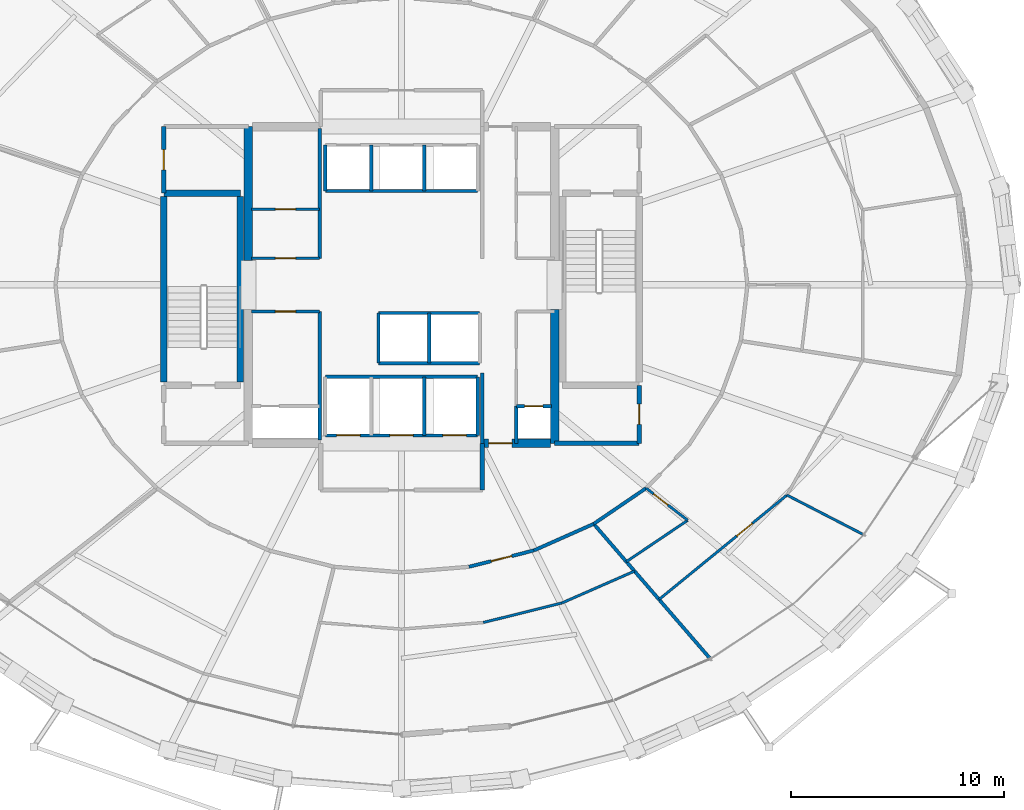
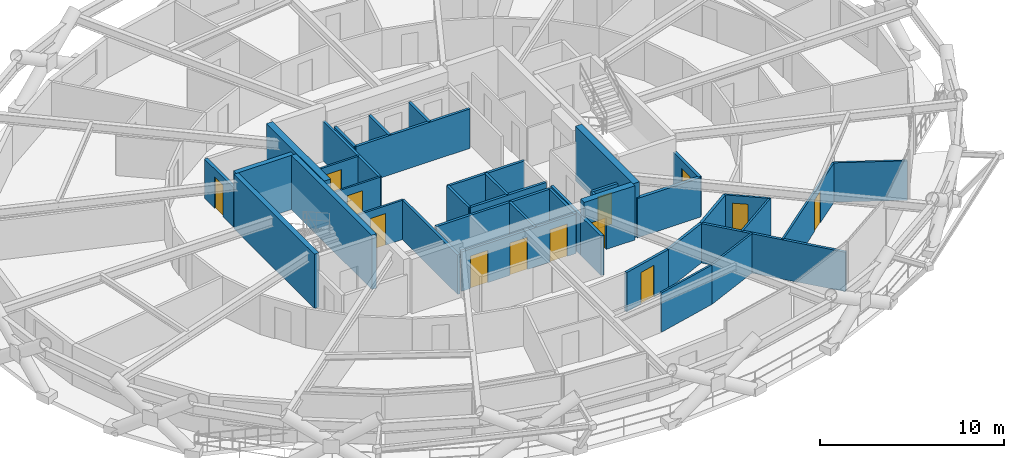
# One storey, part 16 of 21: 40 walls, 13 doors, 13 openings.
"""IFC4 building model written with IfcOpenShell, lengths in metres."""

from ifc_helpers import new_model, si_unit, direction, frame, frame_2d, origin, place, context, subcontext, project, spatial, rectangle, extrude, material, layer, layer_set, type_object, element, fill, save


model = new_model("IFC4")

# Units and contexts
model_context = context("Model", 3, precision=1e-05, world=origin(), true_north=direction((0.0, 1.0)))
body_context = subcontext(model_context, "Body", "Model", "MODEL_VIEW")
ifc_project = project(units=[si_unit("LENGTHUNIT", "METRE"), si_unit("AREAUNIT", "SQUARE_METRE"), si_unit("VOLUMEUNIT", "CUBIC_METRE"), si_unit("PLANEANGLEUNIT", "RADIAN"), si_unit("MASSUNIT", "GRAM", prefix="KILO")], contexts=[model_context])

# Site, building, storey
site_placement = place(None, origin())
site = spatial("IfcSite", under=ifc_project, at=site_placement, CompositionType="ELEMENT")
building_placement = place(site_placement, origin())
building = spatial("IfcBuilding", under=site, at=building_placement, Name="Veldorina Hangang Commons", CompositionType="ELEMENT")
storey_placement = place(building_placement, frame((0.0, 0.0, 59.199951171875)))
storey = spatial("IfcBuildingStorey", under=building, at=storey_placement, Name="L14", CompositionType="ELEMENT", Elevation=59.199951171875)

# Walls
ifc_material_1 = material(Name="Concrete C70/85", Category="concrete")
ifc_layer_1 = layer(ifc_material_1, 0.39990234375)
ifc_layer_set_1 = layer_set([ifc_layer_1], Name="Concrete C70/85")
wall_type_1 = type_object("IfcWallType", Name="CW-RC400-C70", PredefinedType="SHEAR", material=ifc_layer_set_1)
for number, where, z_axis, x_axis, name in (
    (1, (24.800048828125, 25.14990234375, 0.0), (0.0, 0.0, 1.0), (0.0, 1.0, 0.0), "L14 W north core shear wall"),
    (2, (39.199951171875, 16.550048828125, 0.0), (0.0, 0.0, 1.0), (0.0, 1.0, 0.0), "L14 E south core shear wall"),
):
    element("IfcWall", number, at=place(storey_placement, frame(where, z_axis=z_axis, x_axis=x_axis)), inside=storey, type_object=wall_type_1, Name=name, PredefinedType="SHEAR", context=body_context, shape_type="SweptSolid", body=[
        extrude(rectangle(XDim=6.300048828125, YDim=0.39990234375, at=frame_2d((3.14990234375, 0.0))), origin(), (0.0, 0.0, 1.0), 3.60009765625),
    ])

# Wall, opening, door
wall_1_placement = place(storey_placement, frame((35.800048828125, 16.550048828125, 0.0), z_axis=(0.0, 0.0, 1.0), x_axis=(1.0, 0.0, 0.0)))
wall_1 = element("IfcWall", 3, at=wall_1_placement, inside=storey, type_object=wall_type_1, Name="L14 south-east core shear wall", PredefinedType="SHEAR", context=body_context, shape_type="SweptSolid", body=[
    extrude(rectangle(XDim=3.199951171875, YDim=0.39990234375, at=frame_2d((1.60009765625, 0.0))), origin(), (0.0, 0.0, 1.0), 3.60009765625),
])
opening_1_placement = place(wall_1_placement, frame((0.300048828125, 0.0, 0.0)))
opening_1 = element("IfcOpeningElement", 4, at=opening_1_placement, cuts=wall_1, Name="Opening D-08", PredefinedType="OPENING", context=body_context, shape_type="SweptSolid", body=[
    extrude(rectangle(XDim=1.10009765625, YDim=2.10009765625, at=frame_2d((0.550048828125, 1.050048828125))), frame((0.0, 0.2099609375, 0.0), z_axis=(0.0, -1.0, 0.0), x_axis=(1.0, 0.0, 0.0)), (0.0, 0.0, 1.0), 0.419921875),
])
ifc_material_2 = material(Name="Steel Fire-Rated Smoke Seal", Category="steel")
door_type_1 = type_object("IfcDoorType", Name="DR-FIRE-1100", OperationType="SINGLE_SWING_RIGHT", PredefinedType="DOOR", material=ifc_material_2)
door_1_placement = place(opening_1_placement, origin())
door_1 = element("IfcDoor", 5, at=door_1_placement, inside=storey, type_object=door_type_1, Name="L14 central lift lobby south corridor door", OperationType="SINGLE_SWING_RIGHT", OverallHeight=2.10009765625, OverallWidth=1.10009765625, PredefinedType="DOOR", context=body_context, shape_type="SweptSolid", body=[
    extrude(rectangle(XDim=1.10009765625, YDim=2.10009765625, at=frame_2d((0.550048828125, 1.050048828125))), frame((0.0, 0.02490234375, 0.0), z_axis=(0.0, -1.0, 0.0), x_axis=(1.0, 0.0, 0.0)), (0.0, 0.0, 1.0), 0.050048828125),
])
fill(opening_1, door_1)

# Walls
ifc_material_3 = material(Name="Concrete C50/60", Category="concrete")
ifc_layer_2 = layer(ifc_material_3, 0.300048828125)
ifc_layer_set_2 = layer_set([ifc_layer_2], Name="Concrete C50/60")
wall_type_2 = type_object("IfcWallType", Name="SW-STAIR-300", PredefinedType="SHEAR", material=ifc_layer_set_2)
for number, where, z_axis, x_axis, name in (
    (6, (20.820068359375, 19.429931640625, 0.0), (0.0, 0.0, 1.0), (0.0, 1.0, 0.0), "L14 ST1 outer stair shear wall"),
    (7, (24.419921875, 19.429931640625, 0.0), (0.0, 0.0, 1.0), (0.0, 1.0, 0.0), "L14 ST1 inner stair shear wall"),
):
    element("IfcWall", number, at=place(storey_placement, frame(where, z_axis=z_axis, x_axis=x_axis)), inside=storey, type_object=wall_type_2, Name=name, PredefinedType="SHEAR", context=body_context, shape_type="SweptSolid", body=[
        extrude(rectangle(XDim=8.739990234375, YDim=0.300048828125, at=frame_2d((4.3701171875, 0.0))), origin(), (0.0, 0.0, 1.0), 3.60009765625),
    ])
wall_2_placement = place(storey_placement, frame((20.820068359375, 28.320068359375, 0.0), z_axis=(0.0, 0.0, 1.0), x_axis=(1.0, 0.0, 0.0)))
element("IfcWall", 8, at=wall_2_placement, inside=storey, type_object=wall_type_2, Name="L14 ST1 north stair shear wall", PredefinedType="SHEAR", context=body_context, shape_type="SweptSolid", body=[
    extrude(rectangle(XDim=3.599853515625, YDim=0.300048828125, at=frame_2d((1.7998046875, 0.0))), origin(), (0.0, 0.0, 1.0), 3.60009765625),
])
ifc_material_4 = material(Name="Gypsum Fire-Rated Twin Stud Wall", Category="gypsum")
ifc_layer_3 = layer(ifc_material_4, 0.159912109375)
ifc_layer_set_3 = layer_set([ifc_layer_3], Name="Gypsum Fire-Rated Twin Stud Wall")
wall_type_3 = type_object("IfcWallType", Name="WL-FIRE-160", PredefinedType="SOLIDWALL", material=ifc_layer_set_3)
wall_3_placement = place(storey_placement, frame((35.800048828125, 16.550048828125, 0.0), z_axis=(0.0, 0.0, 1.0), x_axis=(0.0, 1.0, 0.0)))
element("IfcWall", 9, at=wall_3_placement, inside=storey, type_object=wall_type_3, Name="L14 Lift passage SW wall 009", PredefinedType="SOLIDWALL", context=body_context, shape_type="SweptSolid", body=[
    extrude(rectangle(XDim=3.300048828125, YDim=0.159912109375, at=frame_2d((1.64990234375, 0.0))), origin(), (0.0, 0.0, 1.0), 2.610107421875),
])
wall_4_placement = place(storey_placement, frame((37.39990234375, 16.550048828125, 0.0), z_axis=(0.0, 0.0, 1.0), x_axis=(0.0, 1.0, 0.0)))
element("IfcWall", 10, at=wall_4_placement, inside=storey, type_object=wall_type_3, Name="L14 Lift passage SE stub 010", PredefinedType="SOLIDWALL", context=body_context, shape_type="SweptSolid", body=[
    extrude(rectangle(XDim=1.75, YDim=0.159912109375, at=frame_2d((0.875, 0.0))), origin(), (0.0, 0.0, 1.0), 2.610107421875),
])
wall_5_placement = place(storey_placement, frame((28.419921875, 28.419921875, 0.0), z_axis=(0.0, 0.0, 1.0), x_axis=(1.0, 0.0, 0.0)))
element("IfcWall", 11, at=wall_5_placement, inside=storey, type_object=wall_type_3, Name="L14 Low-bank rear shaft wall 016", PredefinedType="SOLIDWALL", context=body_context, shape_type="SweptSolid", body=[
    extrude(rectangle(XDim=7.16015625, YDim=0.159912109375, at=frame_2d((3.580078125, 0.0))), origin(), (0.0, 0.0, 1.0), 2.610107421875),
])
for number, where, z_axis, x_axis, name in (
    (12, (28.419921875, 28.419921875, 0.0), (0.0, 0.0, 1.0), (0.0, 1.0, 0.0), "L14 PL-L1 west shaft wall 017"),
    (13, (30.580078125, 28.419921875, 0.0), (0.0, 0.0, 1.0), (0.0, 1.0, 0.0), "L14 PL-L1 east shaft wall 018"),
    (14, (33.080078125, 28.419921875, 0.0), (0.0, 0.0, 1.0), (0.0, 1.0, 0.0), "L14 PL-L2 east shaft wall 019"),
):
    element("IfcWall", number, at=place(storey_placement, frame(where, z_axis=z_axis, x_axis=x_axis)), inside=storey, type_object=wall_type_3, Name=name, PredefinedType="SOLIDWALL", context=body_context, shape_type="SweptSolid", body=[
        extrude(rectangle(XDim=2.16015625, YDim=0.159912109375, at=frame_2d((1.080078125, 0.0))), origin(), (0.0, 0.0, 1.0), 2.610107421875),
    ])
for number, where, z_axis, x_axis, name in (
    (15, (30.919921875, 22.679931640625, 0.0), (0.0, 0.0, 1.0), (1.0, 0.0, 0.0), "L14 Shuttle-high front shaft wall 021"),
    (16, (30.919921875, 20.320068359375, 0.0), (0.0, 0.0, 1.0), (1.0, 0.0, 0.0), "L14 Shuttle-high rear shaft wall 022"),
):
    element("IfcWall", number, at=place(storey_placement, frame(where, z_axis=z_axis, x_axis=x_axis)), inside=storey, type_object=wall_type_3, Name=name, PredefinedType="SOLIDWALL", context=body_context, shape_type="SweptSolid", body=[
        extrude(rectangle(XDim=4.760009765625, YDim=0.159912109375, at=frame_2d((2.3798828125, 0.0))), origin(), (0.0, 0.0, 1.0), 2.610107421875),
    ])
for number, where, z_axis, x_axis, name in (
    (17, (30.919921875, 20.320068359375, 0.0), (0.0, 0.0, 1.0), (0.0, 1.0, 0.0), "L14 SL-1 west shaft wall 023"),
    (18, (33.300048828125, 20.320068359375, 0.0), (0.0, 0.0, 1.0), (0.0, 1.0, 0.0), "L14 SL-1 east shaft wall 024"),
):
    element("IfcWall", number, at=place(storey_placement, frame(where, z_axis=z_axis, x_axis=x_axis)), inside=storey, type_object=wall_type_3, Name=name, PredefinedType="SOLIDWALL", context=body_context, shape_type="SweptSolid", body=[
        extrude(rectangle(XDim=2.35986328125, YDim=0.159912109375, at=frame_2d((1.179931640625, 0.0))), origin(), (0.0, 0.0, 1.0), 2.610107421875),
    ])

# Wall, openings, doors
wall_6_placement = place(storey_placement, frame((28.419921875, 16.919921875, 0.0), z_axis=(0.0, 0.0, 1.0), x_axis=(1.0, 0.0, 0.0)))
wall_6 = element("IfcWall", 19, at=wall_6_placement, inside=storey, type_object=wall_type_3, Name="L14 Emergency front shaft wall 026", PredefinedType="SOLIDWALL", context=body_context, shape_type="SweptSolid", body=[
    extrude(rectangle(XDim=7.16015625, YDim=0.159912109375, at=frame_2d((3.580078125, 0.0))), origin(), (0.0, 0.0, 1.0), 2.610107421875),
])
opening_2_placement = place(wall_6_placement, frame((0.530029296875, 0.0, 0.0)))
opening_2 = element("IfcOpeningElement", 20, at=opening_2_placement, cuts=wall_6, Name="Opening LD-03", PredefinedType="OPENING", context=body_context, shape_type="SweptSolid", body=[
    extrude(rectangle(XDim=1.10009765625, YDim=2.14990234375, at=frame_2d((0.550048828125, 1.074951171875))), frame((0.0, 0.08984375, 0.0), z_axis=(0.0, -1.0, 0.0), x_axis=(1.0, 0.0, 0.0)), (0.0, 0.0, 1.0), 0.179931640625),
])
opening_3_placement = place(wall_6_placement, frame((3.030029296875, 0.0, 0.0)))
opening_3 = element("IfcOpeningElement", 21, at=opening_3_placement, cuts=wall_6, Name="Opening LD-03", PredefinedType="OPENING", context=body_context, shape_type="SweptSolid", body=[
    extrude(rectangle(XDim=1.10009765625, YDim=2.14990234375, at=frame_2d((0.550048828125, 1.074951171875))), frame((0.0, 0.08984375, 0.0), z_axis=(0.0, -1.0, 0.0), x_axis=(1.0, 0.0, 0.0)), (0.0, 0.0, 1.0), 0.179931640625),
])
opening_4_placement = place(wall_6_placement, frame((5.530029296875, 0.0, 0.0)))
opening_4 = element("IfcOpeningElement", 22, at=opening_4_placement, cuts=wall_6, Name="Opening LD-03", PredefinedType="OPENING", context=body_context, shape_type="SweptSolid", body=[
    extrude(rectangle(XDim=1.10009765625, YDim=2.14990234375, at=frame_2d((0.550048828125, 1.074951171875))), frame((0.0, 0.08984375, 0.0), z_axis=(0.0, -1.0, 0.0), x_axis=(1.0, 0.0, 0.0)), (0.0, 0.0, 1.0), 0.179931640625),
])
ifc_material_5 = material(Name="Stainless Steel Firefighting Lift Door", Category="steel")
door_type_2 = type_object("IfcDoorType", Name="DR-LIFT-FF1100", OperationType="SLIDING_TO_RIGHT", PredefinedType="DOOR", material=ifc_material_5)
door_2_placement = place(opening_2_placement, origin())
door_2 = element("IfcDoor", 23, at=door_2_placement, inside=storey, type_object=door_type_2, Name="L14 Emergency lift FFL-1 landing door 009", OperationType="SLIDING_TO_RIGHT", OverallHeight=2.14990234375, OverallWidth=1.10009765625, PredefinedType="DOOR", context=body_context, shape_type="SweptSolid", body=[
    extrude(rectangle(XDim=1.10009765625, YDim=2.14990234375, at=frame_2d((0.550048828125, 1.074951171875))), frame((0.0, 0.02490234375, 0.0), z_axis=(0.0, -1.0, 0.0), x_axis=(1.0, 0.0, 0.0)), (0.0, 0.0, 1.0), 0.050048828125),
])
fill(opening_2, door_2)
door_3_placement = place(opening_3_placement, origin())
door_3 = element("IfcDoor", 24, at=door_3_placement, inside=storey, type_object=door_type_2, Name="L14 Emergency lift FFL-2 landing door 010", OperationType="SLIDING_TO_RIGHT", OverallHeight=2.14990234375, OverallWidth=1.10009765625, PredefinedType="DOOR", context=body_context, shape_type="SweptSolid", body=[
    extrude(rectangle(XDim=1.10009765625, YDim=2.14990234375, at=frame_2d((0.550048828125, 1.074951171875))), frame((0.0, 0.02490234375, 0.0), z_axis=(0.0, -1.0, 0.0), x_axis=(1.0, 0.0, 0.0)), (0.0, 0.0, 1.0), 0.050048828125),
])
fill(opening_3, door_3)
door_4_placement = place(opening_4_placement, origin())
door_4 = element("IfcDoor", 25, at=door_4_placement, inside=storey, type_object=door_type_2, Name="L14 Emergency lift EVL-1 landing door 011", OperationType="SLIDING_TO_RIGHT", OverallHeight=2.14990234375, OverallWidth=1.10009765625, PredefinedType="DOOR", context=body_context, shape_type="SweptSolid", body=[
    extrude(rectangle(XDim=1.10009765625, YDim=2.14990234375, at=frame_2d((0.550048828125, 1.074951171875))), frame((0.0, 0.02490234375, 0.0), z_axis=(0.0, -1.0, 0.0), x_axis=(1.0, 0.0, 0.0)), (0.0, 0.0, 1.0), 0.050048828125),
])
fill(opening_4, door_4)

# Walls
wall_7_placement = place(storey_placement, frame((28.419921875, 19.679931640625, 0.0), z_axis=(0.0, 0.0, 1.0), x_axis=(1.0, 0.0, 0.0)))
element("IfcWall", 26, at=wall_7_placement, inside=storey, type_object=wall_type_3, Name="L14 Emergency rear shaft wall 027", PredefinedType="SOLIDWALL", context=body_context, shape_type="SweptSolid", body=[
    extrude(rectangle(XDim=7.16015625, YDim=0.159912109375, at=frame_2d((3.580078125, 0.0))), origin(), (0.0, 0.0, 1.0), 2.610107421875),
])
for number, where, z_axis, x_axis, name in (
    (27, (33.080078125, 16.919921875, 0.0), (0.0, 0.0, 1.0), (0.0, 1.0, 0.0), "L14 FFL-2 east shaft wall 030"),
    (28, (35.580078125, 16.919921875, 0.0), (0.0, 0.0, 1.0), (0.0, 1.0, 0.0), "L14 EVL-1 east shaft wall 031"),
):
    element("IfcWall", number, at=place(storey_placement, frame(where, z_axis=z_axis, x_axis=x_axis)), inside=storey, type_object=wall_type_3, Name=name, PredefinedType="SOLIDWALL", context=body_context, shape_type="SweptSolid", body=[
        extrude(rectangle(XDim=2.760009765625, YDim=0.159912109375, at=frame_2d((1.3798828125, 0.0))), origin(), (0.0, 0.0, 1.0), 2.610107421875),
    ])
wall_8_placement = place(storey_placement, frame((28.14990234375, 16.699951171875, 0.0), z_axis=(0.0, 0.0, 1.0), x_axis=(0.0, 1.0, 0.0)))
element("IfcWall", 29, at=wall_8_placement, inside=storey, type_object=wall_type_3, Name="L14 SW core inner wall 036", PredefinedType="SOLIDWALL", context=body_context, shape_type="SweptSolid", body=[
    extrude(rectangle(XDim=6.050048828125, YDim=0.159912109375, at=frame_2d((3.02490234375, 0.0))), origin(), (0.0, 0.0, 1.0), 2.610107421875),
])

# Wall, opening, door
wall_9_placement = place(storey_placement, frame((37.39990234375, 18.300048828125, 0.0), z_axis=(0.0, 0.0, 1.0), x_axis=(1.0, 0.0, 0.0)))
wall_9 = element("IfcWall", 30, at=wall_9_placement, inside=storey, type_object=wall_type_3, Name="L14 Plumbing riser wall 037", PredefinedType="SOLIDWALL", context=body_context, shape_type="SweptSolid", body=[
    extrude(rectangle(XDim=1.650146484375, YDim=0.159912109375, at=frame_2d((0.8251953125, 0.0))), origin(), (0.0, 0.0, 1.0), 2.610107421875),
])
opening_5_placement = place(wall_9_placement, frame((0.39501953125, 0.0, 0.0)))
opening_5 = element("IfcOpeningElement", 31, at=opening_5_placement, cuts=wall_9, Name="Opening D-01N", PredefinedType="OPENING", context=body_context, shape_type="SweptSolid", body=[
    extrude(rectangle(XDim=0.860107421875, YDim=2.10009765625, at=frame_2d((0.43017578125, 1.050048828125))), frame((0.0, 0.08984375, 0.0), z_axis=(0.0, -1.0, 0.0), x_axis=(1.0, 0.0, 0.0)), (0.0, 0.0, 1.0), 0.179931640625),
])
ifc_material_6 = material(Name="Timber Fire-Rated Core", Category="wood")
door_type_3 = type_object("IfcDoorType", Name="DR-INT-860", OperationType="SINGLE_SWING_LEFT", PredefinedType="DOOR", material=ifc_material_6)
door_5_placement = place(opening_5_placement, origin())
door_5 = element("IfcDoor", 32, at=door_5_placement, inside=storey, type_object=door_type_3, Name="L14 Plumbing riser access door 014", OperationType="SINGLE_SWING_RIGHT", OverallHeight=2.10009765625, OverallWidth=0.860107421875, PredefinedType="TRAPDOOR", context=body_context, shape_type="SweptSolid", body=[
    extrude(rectangle(XDim=0.860107421875, YDim=2.10009765625, at=frame_2d((0.43017578125, 1.050048828125))), frame((0.0, 0.02490234375, 0.0), z_axis=(0.0, -1.0, 0.0), x_axis=(1.0, 0.0, 0.0)), (0.0, 0.0, 1.0), 0.050048828125),
])
fill(opening_5, door_5)

# Wall
wall_10_placement = place(storey_placement, frame((28.14990234375, 25.25, 0.0), z_axis=(0.0, 0.0, 1.0), x_axis=(0.0, 1.0, 0.0)))
element("IfcWall", 33, at=wall_10_placement, inside=storey, type_object=wall_type_3, Name="L14 NW core inner wall 038", PredefinedType="SOLIDWALL", context=body_context, shape_type="SweptSolid", body=[
    extrude(rectangle(XDim=6.10009765625, YDim=0.159912109375, at=frame_2d((3.050048828125, 0.0))), origin(), (0.0, 0.0, 1.0), 2.610107421875),
])

# Wall, opening, door
wall_11_placement = place(storey_placement, frame((35.1748046875, 10.74169921875, 0.0), z_axis=(0.0, 0.0, 1.0), x_axis=(0.969689238064, 0.244341526521, 0.0)))
wall_11 = element("IfcWall", 34, at=wall_11_placement, inside=storey, type_object=wall_type_3, Name="L14 Corridor outer wall 25 072", PredefinedType="SOLIDWALL", context=body_context, shape_type="SweptSolid", body=[
    extrude(rectangle(XDim=3.1484375, YDim=0.159912109375, at=frame_2d((1.57421875, 0.0))), origin(), (0.0, 0.0, 1.0), 2.610107421875),
])
opening_6_placement = place(wall_11_placement, frame((1.07421875, 0.0, 0.0)))
opening_6 = element("IfcOpeningElement", 35, at=opening_6_placement, cuts=wall_11, Name="Opening D-05", PredefinedType="OPENING", context=body_context, shape_type="SweptSolid", body=[
    extrude(rectangle(XDim=1.0, YDim=2.10009765625, at=frame_2d((0.5, 1.050048828125))), frame((0.0, 0.08984375, 0.0), z_axis=(0.0, -1.0, 0.0), x_axis=(1.0, 0.0, 0.0)), (0.0, 0.0, 1.0), 0.179931640625),
])
ifc_material_7 = material(Name="Timber Solid Core Acoustic", Category="wood")
door_type_4 = type_object("IfcDoorType", Name="DR-INT-1000", OperationType="SINGLE_SWING_RIGHT", PredefinedType="DOOR", material=ifc_material_7)
door_6_placement = place(opening_6_placement, origin())
door_6 = element("IfcDoor", 36, at=door_6_placement, inside=storey, type_object=door_type_4, Name="L14 Commons alcove door 021", OperationType="SINGLE_SWING_LEFT", OverallHeight=2.10009765625, OverallWidth=1.0, PredefinedType="DOOR", context=body_context, shape_type="SweptSolid", body=[
    extrude(rectangle(XDim=1.0, YDim=2.10009765625, at=frame_2d((0.5, 1.050048828125))), frame((0.0, 0.02490234375, 0.0), z_axis=(0.0, -1.0, 0.0), x_axis=(1.0, 0.0, 0.0)), (0.0, 0.0, 1.0), 0.050048828125),
])
fill(opening_6, door_6)

# Walls
wall_12_placement = place(storey_placement, frame((38.227783203125, 11.510986328125, 0.0), z_axis=(0.0, 0.0, 1.0), x_axis=(0.913952123493, 0.405822024984, 0.0)))
element("IfcWall", 37, at=wall_12_placement, inside=storey, type_object=wall_type_3, Name="L14 Corridor outer wall 26 073", PredefinedType="SOLIDWALL", context=body_context, shape_type="SweptSolid", body=[
    extrude(rectangle(XDim=3.078369140625, YDim=0.159912109375, at=frame_2d((1.5390625, 0.0))), origin(), (0.0, 0.0, 1.0), 2.610107421875),
])
wall_13_placement = place(storey_placement, frame((41.041259765625, 12.76025390625, 0.0), z_axis=(0.0, 0.0, 1.0), x_axis=(0.826293096206, 0.56324037423, 0.0)))
element("IfcWall", 38, at=wall_13_placement, inside=storey, type_object=wall_type_3, Name="L14 Corridor outer wall 27 074", PredefinedType="SOLIDWALL", context=body_context, shape_type="SweptSolid", body=[
    extrude(rectangle(XDim=2.98486328125, YDim=0.159912109375, at=frame_2d((1.492431640625, 0.0))), origin(), (0.0, 0.0, 1.0), 2.610107421875),
])
wall_14_placement = place(storey_placement, frame((41.041259765625, 12.76025390625, 0.0), z_axis=(0.0, 0.0, 1.0), x_axis=(0.654032006628, -0.756466875881, 0.0)))
element("IfcWall", 39, at=wall_14_placement, inside=storey, type_object=wall_type_3, Name="L14 Unit party wall 27 084", PredefinedType="SOLIDWALL", context=body_context, shape_type="SweptSolid", body=[
    extrude(rectangle(XDim=8.341796875, YDim=0.159912109375, at=frame_2d((4.1708984375, 0.0))), origin(), (0.0, 0.0, 1.0), 2.610107421875),
])

# Wall, opening, door
ifc_material_8 = material(Name="Concrete Blockwork Fire Wall C30/37", Category="masonry")
ifc_layer_4 = layer(ifc_material_8, 0.199951171875)
ifc_layer_set_4 = layer_set([ifc_layer_4], Name="Concrete Blockwork Fire Wall C30/37")
wall_type_4 = type_object("IfcWallType", Name="WL-FIRE-200", PredefinedType="SOLIDWALL", material=ifc_layer_set_4)
wall_15_placement = place(storey_placement, frame((20.820068359375, 28.320068359375, 0.0), z_axis=(0.0, 0.0, 1.0), x_axis=(0.0, 1.0, 0.0)))
wall_15 = element("IfcWall", 40, at=wall_15_placement, inside=storey, type_object=wall_type_4, Name="L14 NW core room outer wall 005", PredefinedType="SOLIDWALL", context=body_context, shape_type="SweptSolid", body=[
    extrude(rectangle(XDim=3.1298828125, YDim=0.199951171875, at=frame_2d((1.56494140625, 0.0))), origin(), (0.0, 0.0, 1.0), 2.610107421875),
])
opening_7_placement = place(wall_15_placement, frame((1.090087890625, 0.0, 0.0)))
opening_7 = element("IfcOpeningElement", 41, at=opening_7_placement, cuts=wall_15, Name="Opening D-04", PredefinedType="OPENING", context=body_context, shape_type="SweptSolid", body=[
    extrude(rectangle(XDim=0.949951171875, YDim=2.10009765625, at=frame_2d((0.47509765625, 1.050048828125))), frame((0.0, 0.10986328125, 0.0), z_axis=(0.0, -1.0, 0.0), x_axis=(1.0, 0.0, 0.0)), (0.0, 0.0, 1.0), 0.219970703125),
])
ifc_material_9 = material(Name="Timber Accessible Flush Leaf", Category="wood")
door_type_5 = type_object("IfcDoorType", Name="DR-ACC-950", OperationType="SINGLE_SWING_LEFT", PredefinedType="DOOR", material=ifc_material_9)
door_7_placement = place(opening_7_placement, origin())
door_7 = element("IfcDoor", 42, at=door_7_placement, inside=storey, type_object=door_type_5, Name="L14 NW core WC door 003", OperationType="SINGLE_SWING_LEFT", OverallHeight=2.10009765625, OverallWidth=0.949951171875, PredefinedType="DOOR", context=body_context, shape_type="SweptSolid", body=[
    extrude(rectangle(XDim=0.949951171875, YDim=2.10009765625, at=frame_2d((0.47509765625, 1.050048828125))), frame((0.0, 0.02490234375, 0.0), z_axis=(0.0, -1.0, 0.0), x_axis=(1.0, 0.0, 0.0)), (0.0, 0.0, 1.0), 0.050048828125),
])
fill(opening_7, door_7)

wall_16_placement = place(storey_placement, frame((43.179931640625, 16.550048828125, 0.0), z_axis=(0.0, 0.0, 1.0), x_axis=(0.0, 1.0, 0.0)))
wall_16 = element("IfcWall", 43, at=wall_16_placement, inside=storey, type_object=wall_type_4, Name="L14 SE core room outer wall 007", PredefinedType="SOLIDWALL", context=body_context, shape_type="SweptSolid", body=[
    extrude(rectangle(XDim=2.72998046875, YDim=0.199951171875, at=frame_2d((1.364990234375, 0.0))), origin(), (0.0, 0.0, 1.0), 2.610107421875),
])
opening_8_placement = place(wall_16_placement, frame((0.889892578125, 0.0, 0.0)))
opening_8 = element("IfcOpeningElement", 44, at=opening_8_placement, cuts=wall_16, Name="Opening D-02", PredefinedType="OPENING", context=body_context, shape_type="SweptSolid", body=[
    extrude(rectangle(XDim=0.949951171875, YDim=2.10009765625, at=frame_2d((0.47509765625, 1.050048828125))), frame((0.0, 0.10986328125, 0.0), z_axis=(0.0, -1.0, 0.0), x_axis=(1.0, 0.0, 0.0)), (0.0, 0.0, 1.0), 0.219970703125),
])
door_type_6 = type_object("IfcDoorType", Name="DR-INT-950", OperationType="SINGLE_SWING_LEFT", PredefinedType="DOOR", material=ifc_material_7)
door_8_placement = place(opening_8_placement, origin())
door_8 = element("IfcDoor", 45, at=door_8_placement, inside=storey, type_object=door_type_6, Name="L14 SE core WC door 004", OperationType="SINGLE_SWING_RIGHT", OverallHeight=2.10009765625, OverallWidth=0.949951171875, PredefinedType="DOOR", context=body_context, shape_type="SweptSolid", body=[
    extrude(rectangle(XDim=0.949951171875, YDim=2.10009765625, at=frame_2d((0.47509765625, 1.050048828125))), frame((0.0, 0.02490234375, 0.0), z_axis=(0.0, -1.0, 0.0), x_axis=(1.0, 0.0, 0.0)), (0.0, 0.0, 1.0), 0.050048828125),
])
fill(opening_8, door_8)

# Walls
wall_17_placement = place(storey_placement, frame((39.199951171875, 16.550048828125, 0.0), z_axis=(0.0, 0.0, 1.0), x_axis=(1.0, 0.0, 0.0)))
element("IfcWall", 46, at=wall_17_placement, inside=storey, type_object=wall_type_4, Name="L14 SE core room south wall 008", PredefinedType="SOLIDWALL", context=body_context, shape_type="SweptSolid", body=[
    extrude(rectangle(XDim=3.97998046875, YDim=0.199951171875, at=frame_2d((1.989990234375, 0.0))), origin(), (0.0, 0.0, 1.0), 2.610107421875),
])
wall_18_placement = place(storey_placement, frame((35.800048828125, 14.35009765625, 0.0), z_axis=(0.0, 0.0, 1.0), x_axis=(0.0, 1.0, 0.0)))
element("IfcWall", 47, at=wall_18_placement, inside=storey, type_object=wall_type_4, Name="L14 FF lobby east wall 013", PredefinedType="SOLIDWALL", context=body_context, shape_type="SweptSolid", body=[
    extrude(rectangle(XDim=2.199951171875, YDim=0.199951171875, at=frame_2d((1.10009765625, 0.0))), origin(), (0.0, 0.0, 1.0), 2.610107421875),
])

# Wall, opening, door
ifc_material_10 = material(Name="Gypsum Acoustic Stud Partition", Category="gypsum")
ifc_layer_5 = layer(ifc_material_10, 0.1201171875)
ifc_layer_set_5 = layer_set([ifc_layer_5], Name="Gypsum Acoustic Stud Partition")
wall_type_5 = type_object("IfcWallType", Name="WL-PART-120", PredefinedType="PARTITIONING", material=ifc_layer_set_5)
wall_19_placement = place(storey_placement, frame((24.949951171875, 25.25, 0.0), z_axis=(0.0, 0.0, 1.0), x_axis=(1.0, 0.0, 0.0)))
wall_19 = element("IfcWall", 48, at=wall_19_placement, inside=storey, type_object=wall_type_5, Name="L14 NW service south wall 039", PredefinedType="PARTITIONING", context=body_context, shape_type="SweptSolid", body=[
    extrude(rectangle(XDim=3.199951171875, YDim=0.1201171875, at=frame_2d((1.60009765625, 0.0))), origin(), (0.0, 0.0, 1.0), 2.610107421875),
])
opening_9_placement = place(wall_19_placement, frame((1.125, 0.0, 0.0)))
opening_9 = element("IfcOpeningElement", 49, at=opening_9_placement, cuts=wall_19, Name="Opening D-02", PredefinedType="OPENING", context=body_context, shape_type="SweptSolid", body=[
    extrude(rectangle(XDim=0.949951171875, YDim=2.10009765625, at=frame_2d((0.47509765625, 1.050048828125))), frame((0.0, 0.070068359375, 0.0), z_axis=(0.0, -1.0, 0.0), x_axis=(1.0, 0.0, 0.0)), (0.0, 0.0, 1.0), 0.14013671875),
])
door_9_placement = place(opening_9_placement, origin())
door_9 = element("IfcDoor", 50, at=door_9_placement, inside=storey, type_object=door_type_6, Name="L14 Housekeeping pantry door 015", OperationType="SINGLE_SWING_LEFT", OverallHeight=2.10009765625, OverallWidth=0.949951171875, PredefinedType="DOOR", context=body_context, shape_type="SweptSolid", body=[
    extrude(rectangle(XDim=0.949951171875, YDim=2.10009765625, at=frame_2d((0.47509765625, 1.050048828125))), frame((0.0, 0.02490234375, 0.0), z_axis=(0.0, -1.0, 0.0), x_axis=(1.0, 0.0, 0.0)), (0.0, 0.0, 1.0), 0.050048828125),
])
fill(opening_9, door_9)

wall_20_placement = place(storey_placement, frame((24.949951171875, 22.75, 0.0), z_axis=(0.0, 0.0, 1.0), x_axis=(1.0, 0.0, 0.0)))
wall_20 = element("IfcWall", 51, at=wall_20_placement, inside=storey, type_object=wall_type_5, Name="L14 SW service north wall 040", PredefinedType="PARTITIONING", context=body_context, shape_type="SweptSolid", body=[
    extrude(rectangle(XDim=3.199951171875, YDim=0.1201171875, at=frame_2d((1.60009765625, 0.0))), origin(), (0.0, 0.0, 1.0), 2.610107421875),
])
opening_10_placement = place(wall_20_placement, frame((1.125, 0.0, 0.0)))
opening_10 = element("IfcOpeningElement", 52, at=opening_10_placement, cuts=wall_20, Name="Opening D-02", PredefinedType="OPENING", context=body_context, shape_type="SweptSolid", body=[
    extrude(rectangle(XDim=0.949951171875, YDim=2.10009765625, at=frame_2d((0.47509765625, 1.050048828125))), frame((0.0, 0.070068359375, 0.0), z_axis=(0.0, -1.0, 0.0), x_axis=(1.0, 0.0, 0.0)), (0.0, 0.0, 1.0), 0.14013671875),
])
door_10_placement = place(opening_10_placement, origin())
door_10 = element("IfcDoor", 53, at=door_10_placement, inside=storey, type_object=door_type_6, Name="L14 Waste sorting door 017", OperationType="SINGLE_SWING_LEFT", OverallHeight=2.10009765625, OverallWidth=0.949951171875, PredefinedType="DOOR", context=body_context, shape_type="SweptSolid", body=[
    extrude(rectangle(XDim=0.949951171875, YDim=2.10009765625, at=frame_2d((0.47509765625, 1.050048828125))), frame((0.0, 0.02490234375, 0.0), z_axis=(0.0, -1.0, 0.0), x_axis=(1.0, 0.0, 0.0)), (0.0, 0.0, 1.0), 0.050048828125),
])
fill(opening_10, door_10)

wall_21_placement = place(storey_placement, frame((24.949951171875, 27.550048828125, 0.0), z_axis=(0.0, 0.0, 1.0), x_axis=(1.0, 0.0, 0.0)))
wall_21 = element("IfcWall", 54, at=wall_21_placement, inside=storey, type_object=wall_type_5, Name="L14 NW mid wall 045", PredefinedType="PARTITIONING", context=body_context, shape_type="SweptSolid", body=[
    extrude(rectangle(XDim=3.199951171875, YDim=0.1201171875, at=frame_2d((1.60009765625, 0.0))), origin(), (0.0, 0.0, 1.0), 2.610107421875),
])
opening_11_placement = place(wall_21_placement, frame((1.125, 0.0, 0.0)))
opening_11 = element("IfcOpeningElement", 55, at=opening_11_placement, cuts=wall_21, Name="Opening D-02", PredefinedType="OPENING", context=body_context, shape_type="SweptSolid", body=[
    extrude(rectangle(XDim=0.949951171875, YDim=2.10009765625, at=frame_2d((0.47509765625, 1.050048828125))), frame((0.0, 0.070068359375, 0.0), z_axis=(0.0, -1.0, 0.0), x_axis=(1.0, 0.0, 0.0)), (0.0, 0.0, 1.0), 0.14013671875),
])
door_11_placement = place(opening_11_placement, origin())
door_11 = element("IfcDoor", 56, at=door_11_placement, inside=storey, type_object=door_type_6, Name="L14 Bedding store door 016", OperationType="SINGLE_SWING_RIGHT", OverallHeight=2.10009765625, OverallWidth=0.949951171875, PredefinedType="DOOR", context=body_context, shape_type="SweptSolid", body=[
    extrude(rectangle(XDim=0.949951171875, YDim=2.10009765625, at=frame_2d((0.47509765625, 1.050048828125))), frame((0.0, 0.02490234375, 0.0), z_axis=(0.0, -1.0, 0.0), x_axis=(1.0, 0.0, 0.0)), (0.0, 0.0, 1.0), 0.050048828125),
])
fill(opening_11, door_11)

# Walls
wall_22_placement = place(storey_placement, frame((35.849365234375, 8.120849609375, 0.0), z_axis=(0.0, 0.0, 1.0), x_axis=(0.970386733017, 0.241556594579, 0.0)))
element("IfcWall", 57, at=wall_22_placement, inside=storey, type_object=wall_type_5, Name="L14 Lounge alcove split 2 082", PredefinedType="PARTITIONING", context=body_context, shape_type="SweptSolid", body=[
    extrude(rectangle(XDim=3.814453125, YDim=0.1201171875, at=frame_2d((1.9072265625, 0.0))), origin(), (0.0, 0.0, 1.0), 2.610107421875),
])
wall_23_placement = place(storey_placement, frame((39.55078125, 9.042236328125, 0.0), z_axis=(0.0, 0.0, 1.0), x_axis=(0.915800473989, 0.401633529278, 0.0)))
element("IfcWall", 58, at=wall_23_placement, inside=storey, type_object=wall_type_5, Name="L14 Lounge alcove split 3 083", PredefinedType="PARTITIONING", context=body_context, shape_type="SweptSolid", body=[
    extrude(rectangle(XDim=3.72509765625, YDim=0.1201171875, at=frame_2d((1.862548828125, 0.0))), origin(), (0.0, 0.0, 1.0), 2.610107421875),
])
wall_24_placement = place(storey_placement, frame((42.578125, 10.98291015625, 0.0), z_axis=(0.0, 0.0, 1.0), x_axis=(0.828951119093, 0.559321054632, 0.0)))
element("IfcWall", 59, at=wall_24_placement, inside=storey, type_object=wall_type_5, Name="L14 Cluster 2 bath front wall 085", PredefinedType="PARTITIONING", context=body_context, shape_type="SweptSolid", body=[
    extrude(rectangle(XDim=3.480712890625, YDim=0.1201171875, at=frame_2d((1.740234375, 0.0))), origin(), (0.0, 0.0, 1.0), 2.610107421875),
])

# Wall, opening, door
wall_25_placement = place(storey_placement, frame((43.507568359375, 14.44140625, 0.0), z_axis=(0.0, 0.0, 1.0), x_axis=(0.791204628393, -0.611551499065, 0.0)))
wall_25 = element("IfcWall", 60, at=wall_25_placement, inside=storey, type_object=wall_type_5, Name="L14 Cluster 2 bath side wall 086", PredefinedType="PARTITIONING", context=body_context, shape_type="SweptSolid", body=[
    extrude(rectangle(XDim=2.471923828125, YDim=0.1201171875, at=frame_2d((1.23583984375, 0.0))), origin(), (0.0, 0.0, 1.0), 2.610107421875),
])
opening_12_placement = place(wall_25_placement, frame((0.43994140625, 0.0, 0.0)))
opening_12 = element("IfcOpeningElement", 61, at=opening_12_placement, cuts=wall_25, Name="Opening D-01", PredefinedType="OPENING", context=body_context, shape_type="SweptSolid", body=[
    extrude(rectangle(XDim=0.860107421875, YDim=2.10009765625, at=frame_2d((0.43017578125, 1.050048828125))), frame((0.0, 0.070068359375, 0.0), z_axis=(0.0, -1.0, 0.0), x_axis=(1.0, 0.0, 0.0)), (0.0, 0.0, 1.0), 0.14013671875),
])
ifc_material_11 = material(Name="Timber Moisture-Resistant Core", Category="wood")
door_type_7 = type_object("IfcDoorType", Name="DR-WET-860", OperationType="SINGLE_SWING_LEFT", PredefinedType="DOOR", material=ifc_material_11)
door_12_placement = place(opening_12_placement, origin())
door_12 = element("IfcDoor", 62, at=door_12_placement, inside=storey, type_object=door_type_7, Name="L14 Cluster 2 shared bathroom door 023", OperationType="SINGLE_SWING_LEFT", OverallHeight=2.10009765625, OverallWidth=0.860107421875, PredefinedType="DOOR", context=body_context, shape_type="SweptSolid", body=[
    extrude(rectangle(XDim=0.860107421875, YDim=2.10009765625, at=frame_2d((0.43017578125, 1.050048828125))), frame((0.0, 0.02490234375, 0.0), z_axis=(0.0, -1.0, 0.0), x_axis=(1.0, 0.0, 0.0)), (0.0, 0.0, 1.0), 0.050048828125),
])
fill(opening_12, door_12)

wall_26_placement = place(storey_placement, frame((44.11474609375, 9.205322265625, 0.0), z_axis=(0.0, 0.0, 1.0), x_axis=(0.774795715617, 0.632211672671, 0.0)))
wall_26 = element("IfcWall", 63, at=wall_26_placement, inside=storey, type_object=wall_type_5, Name="L14 Cluster 2 bed 1 front wall 087", PredefinedType="PARTITIONING", context=body_context, shape_type="SweptSolid", body=[
    extrude(rectangle(XDim=7.76513671875, YDim=0.1201171875, at=frame_2d((3.882568359375, 0.0))), origin(), (0.0, 0.0, 1.0), 2.610107421875),
])
opening_13_placement = place(wall_26_placement, frame((4.71337890625, 0.0, 0.0)))
opening_13 = element("IfcOpeningElement", 64, at=opening_13_placement, cuts=wall_26, Name="Opening D-02", PredefinedType="OPENING", context=body_context, shape_type="SweptSolid", body=[
    extrude(rectangle(XDim=0.949951171875, YDim=2.10009765625, at=frame_2d((0.47509765625, 1.050048828125))), frame((0.0, 0.070068359375, 0.0), z_axis=(0.0, -1.0, 0.0), x_axis=(1.0, 0.0, 0.0)), (0.0, 0.0, 1.0), 0.14013671875),
])
door_13_placement = place(opening_13_placement, origin())
door_13 = element("IfcDoor", 65, at=door_13_placement, inside=storey, type_object=door_type_6, Name="L14 Cluster 2 bed 1 door 025", OperationType="SINGLE_SWING_LEFT", OverallHeight=2.10009765625, OverallWidth=0.949951171875, PredefinedType="DOOR", context=body_context, shape_type="SweptSolid", body=[
    extrude(rectangle(XDim=0.949951171875, YDim=2.10009765625, at=frame_2d((0.47509765625, 1.050048828125))), frame((0.0, 0.02490234375, 0.0), z_axis=(0.0, -1.0, 0.0), x_axis=(1.0, 0.0, 0.0)), (0.0, 0.0, 1.0), 0.050048828125),
])
fill(opening_13, door_13)

# Wall
wall_27_placement = place(storey_placement, frame((50.131103515625, 14.114501953125, 0.0), z_axis=(0.0, 0.0, 1.0), x_axis=(0.88850478296, -0.458867356277, 0.0)))
element("IfcWall", 66, at=wall_27_placement, inside=storey, type_object=wall_type_5, Name="L14 Cluster 2 bed divider 1 089", PredefinedType="PARTITIONING", context=body_context, shape_type="SweptSolid", body=[
    extrude(rectangle(XDim=4.017578125, YDim=0.1201171875, at=frame_2d((2.0087890625, 0.0))), origin(), (0.0, 0.0, 1.0), 2.610107421875),
])

save(model, "model.ifc")
